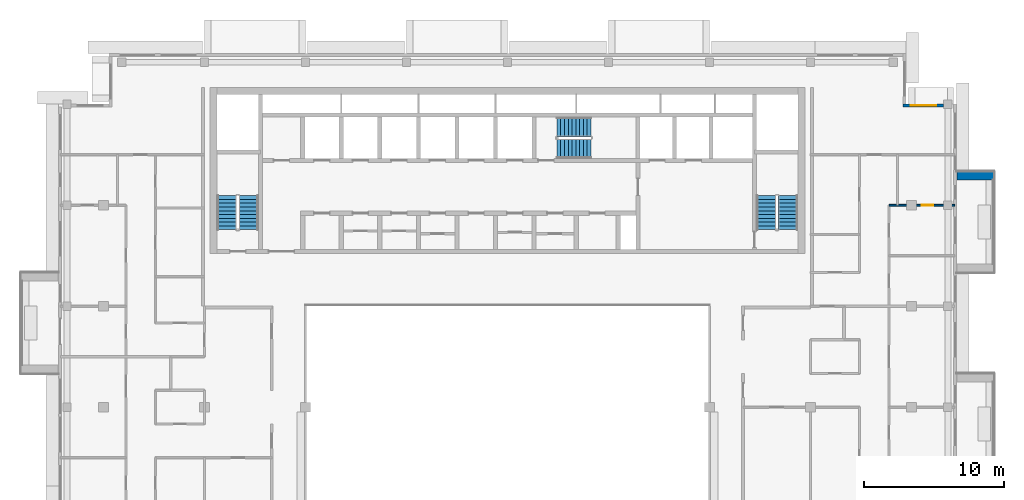
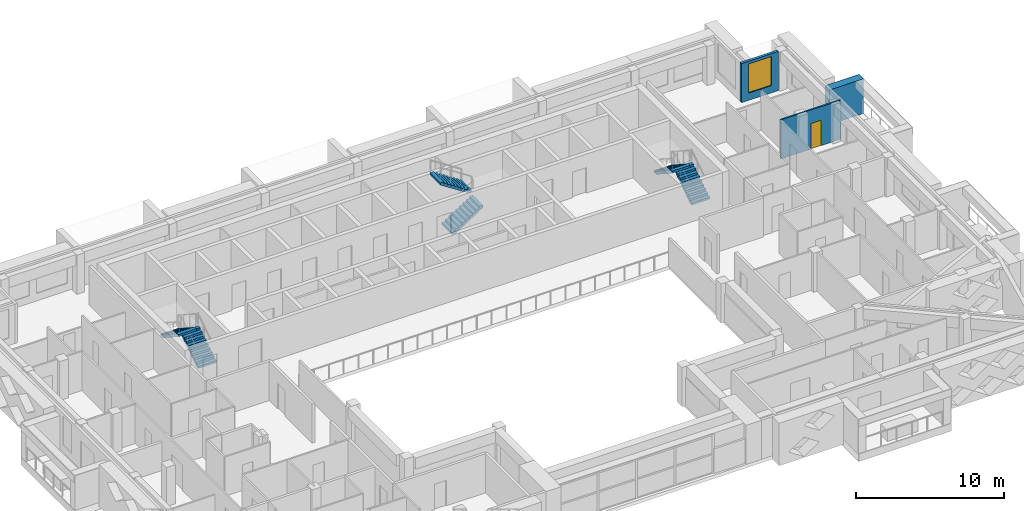
# One storey, part 12 of 19: 6 stair flights, 3 walls, 1 door, 1 window, 2 openings, 3 elements without a shape of their own.
"""IFC4 building model written with IfcOpenShell, lengths in metres."""

from ifc_helpers import new_model, si_unit, direction, frame, frame_2d, origin, place, context, subcontext, project, spatial, polyline, rectangle, outline, extrude, material, layer, layer_set, type_object, element, fill, aggregate, save


model = new_model("IFC4")

# Units and contexts
model_context = context("Model", 3, precision=1e-05, world=origin(), true_north=direction((0.0, 1.0)))
body_context = subcontext(model_context, "Body", "Model", "MODEL_VIEW")
ifc_project = project(units=[si_unit("LENGTHUNIT", "METRE"), si_unit("AREAUNIT", "SQUARE_METRE"), si_unit("VOLUMEUNIT", "CUBIC_METRE"), si_unit("PLANEANGLEUNIT", "RADIAN"), si_unit("MASSUNIT", "GRAM", prefix="KILO")], contexts=[model_context])

# Site, building, storey
site_placement = place(None, origin())
site = spatial("IfcSite", under=ifc_project, at=site_placement, CompositionType="ELEMENT")
building_placement = place(site_placement, origin())
building = spatial("IfcBuilding", under=site, at=building_placement, Name="Saffron Iwan Residences", CompositionType="ELEMENT")
storey_placement = place(building_placement, frame((0.0, 0.0, 253.5)))
storey = spatial("IfcBuildingStorey", under=building, at=storey_placement, Name="L68", CompositionType="ELEMENT", Elevation=253.5)

# Wall
ifc_material_1 = material(Name="Concrete C50/60 white painted", Category="concrete")
ifc_layer_1 = layer(ifc_material_1, 0.60009765625)
ifc_layer_set_1 = layer_set([ifc_layer_1], Name="Concrete C50/60 white painted")
wall_type_1 = type_object("IfcWallType", Name="BALCONY FIN 600", PredefinedType="SOLIDWALL", material=ifc_layer_set_1)
wall_1_placement = place(storey_placement, frame((82.449951171875, 71.699951171875, 0.0), z_axis=(0.0, 0.0, 1.0), x_axis=(1.0, 0.0, 0.0)))
element("IfcWall", 1, at=wall_1_placement, inside=storey, type_object=wall_type_1, Name="Balcony fin L68 F2-1b", PredefinedType="SOLIDWALL", context=body_context, shape_type="SweptSolid", body=[
    extrude(rectangle(XDim=2.650146484375, YDim=0.60009765625, at=frame_2d((1.3251953125, 0.0))), origin(), (0.0, 0.0, 1.0), 2.85009765625),
])

# Wall, opening, window
ifc_material_2 = material(Name="Concrete C40/50", Category="concrete")
ifc_layer_2 = layer(ifc_material_2, 0.199951171875)
ifc_layer_set_2 = layer_set([ifc_layer_2], Name="Concrete C40/50")
wall_type_2 = type_object("IfcWallType", Name="EXTERNAL WALL 200", PredefinedType="SOLIDWALL", material=ifc_layer_set_2)
wall_2_placement = place(storey_placement, frame((81.5, 76.699951171875, 0.0), z_axis=(0.0, 0.0, 1.0), x_axis=(-1.0, 0.0, 0.0)))
wall_2 = element("IfcWall", 2, at=wall_2_placement, inside=storey, type_object=wall_type_2, Name="External wall L68 F3.0", PredefinedType="SOLIDWALL", context=body_context, shape_type="SweptSolid", body=[
    extrude(rectangle(XDim=2.89990234375, YDim=0.199951171875, at=frame_2d((1.449951171875, 0.0))), origin(), (0.0, 0.0, 1.0), 3.219970703125),
])
opening_1_placement = place(wall_2_placement, frame((0.550048828125, 0.0, 0.60009765625)))
opening_1 = element("IfcOpeningElement", 3, at=opening_1_placement, cuts=wall_2, Name="Opening W8", PredefinedType="OPENING", context=body_context, shape_type="SweptSolid", body=[
    extrude(rectangle(XDim=1.800048828125, YDim=2.39990234375, at=frame_2d((0.89990234375, 1.199951171875))), frame((0.0, 0.10986328125, 0.0), z_axis=(0.0, -1.0, 0.0), x_axis=(1.0, 0.0, 0.0)), (0.0, 0.0, 1.0), 0.219970703125),
])
ifc_material_3 = material(Name="Clear glass, laminated double glazed", Category="glass")
window_type = type_object("IfcWindowType", Name="WINDOW 1800 x 2400", PartitioningType="DOUBLE_PANEL_VERTICAL", PredefinedType="WINDOW", material=ifc_material_3)
window_placement = place(opening_1_placement, origin())
window = element("IfcWindow", 4, at=window_placement, inside=storey, type_object=window_type, Name="Window L68 F3.0", OverallHeight=2.39990234375, OverallWidth=1.800048828125, PartitioningType="DOUBLE_PANEL_VERTICAL", PredefinedType="WINDOW", context=body_context, shape_type="SweptSolid", body=[
    extrude(rectangle(XDim=1.800048828125, YDim=2.39990234375, at=frame_2d((0.89990234375, 1.199951171875))), frame((0.0, 0.030029296875, 0.0), z_axis=(0.0, -1.0, 0.0), x_axis=(1.0, 0.0, 0.0)), (0.0, 0.0, 1.0), 0.06005859375),
])
fill(opening_1, window)

# Wall, opening, door
ifc_material_4 = material(Name="Gypsum board partition")
ifc_layer_3 = layer(ifc_material_4, 0.1201171875)
ifc_layer_set_3 = layer_set([ifc_layer_3], Name="Gypsum board partition")
wall_type_3 = type_object("IfcWallType", Name="Flat partition 120", PredefinedType="PARTITIONING", material=ifc_layer_set_3)
wall_3_placement = place(storey_placement, frame((77.60009765625, 69.60009765625, 0.0), z_axis=(0.0, 0.0, 1.0), x_axis=(1.0, 0.0, 0.0)))
wall_3 = element("IfcWall", 5, at=wall_3_placement, inside=storey, type_object=wall_type_3, Name="W-L68-PART-h69.6-77.6", PredefinedType="PARTITIONING", context=body_context, shape_type="SweptSolid", body=[
    extrude(rectangle(XDim=4.6748046875, YDim=0.1201171875, at=frame_2d((2.33740234375, 0.0))), origin(), (0.0, 0.0, 1.0), 3.219970703125),
])
opening_2_placement = place(wall_3_placement, frame((2.33740234375, 0.0, 0.0)))
opening_2 = element("IfcOpeningElement", 6, at=opening_2_placement, cuts=wall_3, Name="Opening FD3", PredefinedType="OPENING", context=body_context, shape_type="SweptSolid", body=[
    extrude(rectangle(XDim=0.800048828125, YDim=2.10009765625, at=frame_2d((0.39990234375, 1.050048828125))), frame((0.0, 0.070068359375, 0.0), z_axis=(0.0, -1.0, 0.0), x_axis=(1.0, 0.0, 0.0)), (0.0, 0.0, 1.0), 0.14013671875),
])
ifc_material_5 = material(Name="Timber door", Category="wood")
door_type = type_object("IfcDoorType", Name="Bathroom door 800", OperationType="NOTDEFINED", PredefinedType="DOOR", material=ifc_material_5)
door_placement = place(opening_2_placement, origin())
door = element("IfcDoor", 7, at=door_placement, inside=storey, type_object=door_type, Name="Door L68-033", OperationType="SINGLE_SWING_RIGHT", OverallHeight=2.10009765625, OverallWidth=0.800048828125, PredefinedType="DOOR", context=body_context, shape_type="SweptSolid", body=[
    extrude(rectangle(XDim=0.800048828125, YDim=2.10009765625, at=frame_2d((0.39990234375, 1.050048828125))), frame((0.0, 0.02490234375, 0.0), z_axis=(0.0, -1.0, 0.0), x_axis=(1.0, 0.0, 0.0)), (0.0, 0.0, 1.0), 0.050048828125),
])
fill(opening_2, door)

# Stair, stair flights
ifc_material_6 = material(Name="Concrete C50/60", Category="concrete")
stair_type = type_object("IfcStairType", Name="Stair ST-CORE", PredefinedType="HALF_TURN_STAIR", material=ifc_material_6)
stair_1_placement = place(storey_placement, origin())
stair_1 = element("IfcStair", 8, at=stair_1_placement, inside=storey, type_object=stair_type, Name="L68 Exit Stair ST-W", PredefinedType="HALF_TURN_STAIR")
ifc_layer_4 = layer(ifc_material_6, 0.14990234375)
ifc_layer_set_4 = layer_set([ifc_layer_4], Name="Concrete C50/60")
stair_flight_type = type_object("IfcStairFlightType", Name="Stair flight SFL-RC", PredefinedType="STRAIGHT", material=ifc_layer_set_4)
stair_flight_1_placement = place(storey_placement, frame((31.949951171875, 67.85009765625, 0.0), z_axis=(0.0, 0.0, 1.0), x_axis=(0.0, 1.0, 0.0)))
stair_flight_1 = element("IfcStairFlight", 9, at=stair_flight_1_placement, type_object=stair_flight_type, Name="ST-W flight 1", NumberOfRisers=10, NumberOfTreads=9, PredefinedType="STRAIGHT", RiserHeight=0.175, TreadLength=0.27, context=body_context, shape_type="SweptSolid", body=[
    extrude(outline(polyline([(0.0, 0.0), (0.0, 0.175048828125), (0.27001953125, 0.175048828125), (0.27001953125, 0.35009765625), (0.5400390625, 0.35009765625), (0.5400390625, 0.52490234375), (0.81005859375, 0.52490234375), (0.81005859375, 0.699951171875), (1.080078125, 0.699951171875), (1.080078125, 0.875), (1.35009765625, 0.875), (1.35009765625, 1.050048828125), (1.6201171875, 1.050048828125), (1.6201171875, 1.22509765625), (1.889892578125, 1.22509765625), (1.889892578125, 1.39990234375), (2.159912109375, 1.39990234375), (2.159912109375, 1.574951171875), (2.429931640625, 1.574951171875), (2.429931640625, 1.75), (2.429931640625, 1.396484375), (0.275634765625, 0.0), (0.0, 0.0)])), frame((0.0, 0.699951171875, 0.0), z_axis=(0.0, -1.0, 0.0), x_axis=(1.0, 0.0, 0.0)), (0.0, 0.0, 1.0), 1.39990234375),
])
stair_flight_2_placement = place(storey_placement, frame((30.39990234375, 70.280029296875, 1.75), z_axis=(0.0, 0.0, 1.0), x_axis=(0.0, -1.0, 0.0)))
stair_flight_2 = element("IfcStairFlight", 10, at=stair_flight_2_placement, type_object=stair_flight_type, Name="ST-W flight 2", NumberOfRisers=10, NumberOfTreads=9, PredefinedType="STRAIGHT", RiserHeight=0.175, TreadLength=0.27, context=body_context, shape_type="SweptSolid", body=[
    extrude(outline(polyline([(0.0, 0.0), (0.0, 0.175048828125), (0.27001953125, 0.175048828125), (0.27001953125, 0.35009765625), (0.5400390625, 0.35009765625), (0.5400390625, 0.52490234375), (0.81005859375, 0.52490234375), (0.81005859375, 0.699951171875), (1.080078125, 0.699951171875), (1.080078125, 0.875), (1.35009765625, 0.875), (1.35009765625, 1.050048828125), (1.6201171875, 1.050048828125), (1.6201171875, 1.22509765625), (1.889892578125, 1.22509765625), (1.889892578125, 1.39990234375), (2.159912109375, 1.39990234375), (2.159912109375, 1.574951171875), (2.429931640625, 1.574951171875), (2.429931640625, 1.75), (2.429931640625, 1.396484375), (0.275634765625, 0.0), (0.0, 0.0)])), frame((0.0, 0.699951171875, 0.0), z_axis=(0.0, -1.0, 0.0), x_axis=(1.0, 0.0, 0.0)), (0.0, 0.0, 1.0), 1.39990234375),
])
aggregate(stair_1, [stair_flight_1, stair_flight_2])

stair_2_placement = place(storey_placement, origin())
stair_2 = element("IfcStair", 11, at=stair_2_placement, inside=storey, type_object=stair_type, Name="L68 Exit Stair ST-C", PredefinedType="HALF_TURN_STAIR")
stair_flight_3_placement = place(storey_placement, frame((53.925048828125, 73.625, 0.0), z_axis=(0.0, 0.0, 1.0), x_axis=(1.0, 0.0, 0.0)))
stair_flight_3 = element("IfcStairFlight", 12, at=stair_flight_3_placement, type_object=stair_flight_type, Name="ST-C flight 1", NumberOfRisers=10, NumberOfTreads=9, PredefinedType="STRAIGHT", RiserHeight=0.175, TreadLength=0.27, context=body_context, shape_type="SweptSolid", body=[
    extrude(outline(polyline([(0.0, 0.0), (0.0, 0.175048828125), (0.27001953125, 0.175048828125), (0.27001953125, 0.35009765625), (0.5400390625, 0.35009765625), (0.5400390625, 0.52490234375), (0.81005859375, 0.52490234375), (0.81005859375, 0.699951171875), (1.080078125, 0.699951171875), (1.080078125, 0.875), (1.35009765625, 0.875), (1.35009765625, 1.050048828125), (1.6201171875, 1.050048828125), (1.6201171875, 1.22509765625), (1.889892578125, 1.22509765625), (1.889892578125, 1.39990234375), (2.159912109375, 1.39990234375), (2.159912109375, 1.574951171875), (2.429931640625, 1.574951171875), (2.429931640625, 1.75), (2.429931640625, 1.396484375), (0.275634765625, 0.0), (0.0, 0.0)])), frame((0.0, 0.699951171875, 0.0), z_axis=(0.0, -1.0, 0.0), x_axis=(1.0, 0.0, 0.0)), (0.0, 0.0, 1.0), 1.39990234375),
])
stair_flight_4_placement = place(storey_placement, frame((56.35498046875, 75.175048828125, 1.75), z_axis=(0.0, 0.0, 1.0), x_axis=(-1.0, 0.0, 0.0)))
stair_flight_4 = element("IfcStairFlight", 13, at=stair_flight_4_placement, type_object=stair_flight_type, Name="ST-C flight 2", NumberOfRisers=10, NumberOfTreads=9, PredefinedType="STRAIGHT", RiserHeight=0.175, TreadLength=0.27, context=body_context, shape_type="SweptSolid", body=[
    extrude(outline(polyline([(0.0, 0.0), (0.0, 0.175048828125), (0.27001953125, 0.175048828125), (0.27001953125, 0.35009765625), (0.5400390625, 0.35009765625), (0.5400390625, 0.52490234375), (0.81005859375, 0.52490234375), (0.81005859375, 0.699951171875), (1.080078125, 0.699951171875), (1.080078125, 0.875), (1.35009765625, 0.875), (1.35009765625, 1.050048828125), (1.6201171875, 1.050048828125), (1.6201171875, 1.22509765625), (1.889892578125, 1.22509765625), (1.889892578125, 1.39990234375), (2.159912109375, 1.39990234375), (2.159912109375, 1.574951171875), (2.429931640625, 1.574951171875), (2.429931640625, 1.75), (2.429931640625, 1.396484375), (0.275634765625, 0.0), (0.0, 0.0)])), frame((0.0, 0.699951171875, 0.0), z_axis=(0.0, -1.0, 0.0), x_axis=(1.0, 0.0, 0.0)), (0.0, 0.0, 1.0), 1.39990234375),
])
aggregate(stair_2, [stair_flight_3, stair_flight_4])

stair_3_placement = place(storey_placement, origin())
stair_3 = element("IfcStair", 14, at=stair_3_placement, inside=storey, type_object=stair_type, Name="L68 Exit Stair ST-E", PredefinedType="HALF_TURN_STAIR")
stair_flight_5_placement = place(storey_placement, frame((70.39990234375, 67.85009765625, 0.0), z_axis=(0.0, 0.0, 1.0), x_axis=(0.0, 1.0, 0.0)))
stair_flight_5 = element("IfcStairFlight", 15, at=stair_flight_5_placement, type_object=stair_flight_type, Name="ST-E flight 1", NumberOfRisers=10, NumberOfTreads=9, PredefinedType="STRAIGHT", RiserHeight=0.175, TreadLength=0.27, context=body_context, shape_type="SweptSolid", body=[
    extrude(outline(polyline([(0.0, 0.0), (0.0, 0.175048828125), (0.27001953125, 0.175048828125), (0.27001953125, 0.35009765625), (0.5400390625, 0.35009765625), (0.5400390625, 0.52490234375), (0.81005859375, 0.52490234375), (0.81005859375, 0.699951171875), (1.080078125, 0.699951171875), (1.080078125, 0.875), (1.35009765625, 0.875), (1.35009765625, 1.050048828125), (1.6201171875, 1.050048828125), (1.6201171875, 1.22509765625), (1.889892578125, 1.22509765625), (1.889892578125, 1.39990234375), (2.159912109375, 1.39990234375), (2.159912109375, 1.574951171875), (2.429931640625, 1.574951171875), (2.429931640625, 1.75), (2.429931640625, 1.396484375), (0.275634765625, 0.0), (0.0, 0.0)])), frame((0.0, 0.699951171875, 0.0), z_axis=(0.0, -1.0, 0.0), x_axis=(1.0, 0.0, 0.0)), (0.0, 0.0, 1.0), 1.39990234375),
])
stair_flight_6_placement = place(storey_placement, frame((68.85009765625, 70.280029296875, 1.75), z_axis=(0.0, 0.0, 1.0), x_axis=(0.0, -1.0, 0.0)))
stair_flight_6 = element("IfcStairFlight", 16, at=stair_flight_6_placement, type_object=stair_flight_type, Name="ST-E flight 2", NumberOfRisers=10, NumberOfTreads=9, PredefinedType="STRAIGHT", RiserHeight=0.175, TreadLength=0.27, context=body_context, shape_type="SweptSolid", body=[
    extrude(outline(polyline([(0.0, 0.0), (0.0, 0.175048828125), (0.27001953125, 0.175048828125), (0.27001953125, 0.35009765625), (0.5400390625, 0.35009765625), (0.5400390625, 0.52490234375), (0.81005859375, 0.52490234375), (0.81005859375, 0.699951171875), (1.080078125, 0.699951171875), (1.080078125, 0.875), (1.35009765625, 0.875), (1.35009765625, 1.050048828125), (1.6201171875, 1.050048828125), (1.6201171875, 1.22509765625), (1.889892578125, 1.22509765625), (1.889892578125, 1.39990234375), (2.159912109375, 1.39990234375), (2.159912109375, 1.574951171875), (2.429931640625, 1.574951171875), (2.429931640625, 1.75), (2.429931640625, 1.396484375), (0.275634765625, 0.0), (0.0, 0.0)])), frame((0.0, 0.699951171875, 0.0), z_axis=(0.0, -1.0, 0.0), x_axis=(1.0, 0.0, 0.0)), (0.0, 0.0, 1.0), 1.39990234375),
])
aggregate(stair_3, [stair_flight_5, stair_flight_6])

save(model, "model.ifc")
